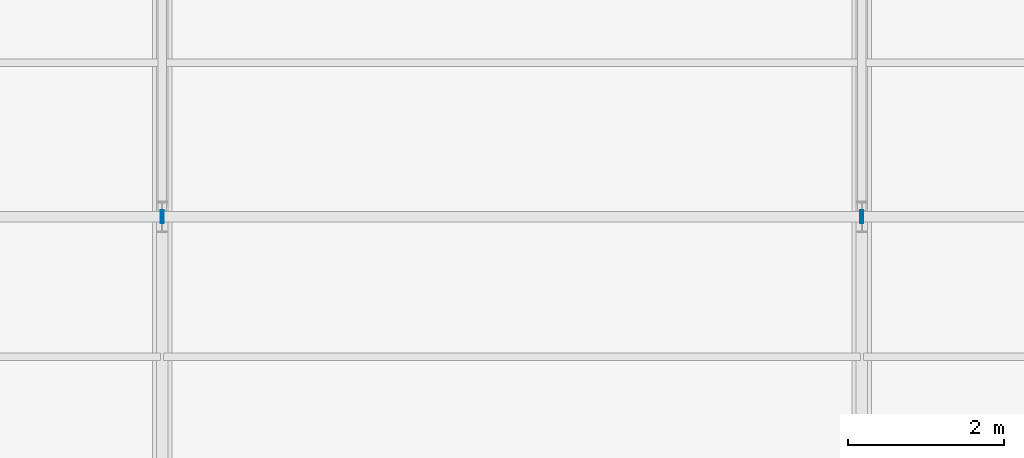
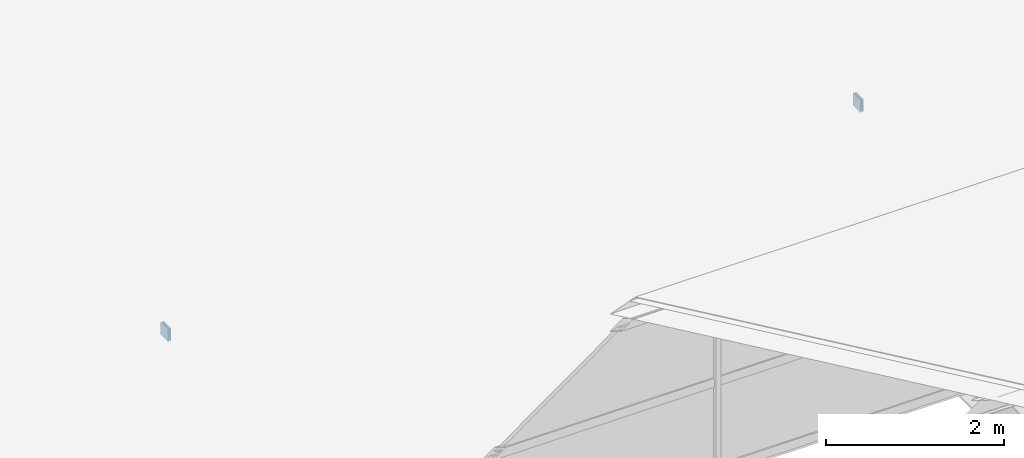
# One storey, part 142 of 163: 4 plates.
"""IFC4 building model written with IfcOpenShell, lengths in metres."""

from ifc_helpers import new_model, si_unit, direction, frame, origin, origin_2d, place, context, subcontext, project, spatial, rectangle, extrude, material, layer, layer_set, type_object, element, save


model = new_model("IFC4")

# Units and contexts
model_context = context("Model", 3, precision=1e-05, world=origin(), true_north=direction((0.0, 1.0)))
body_context = subcontext(model_context, "Body", "Model", "MODEL_VIEW")
ifc_project = project(units=[si_unit("LENGTHUNIT", "METRE"), si_unit("AREAUNIT", "SQUARE_METRE"), si_unit("VOLUMEUNIT", "CUBIC_METRE"), si_unit("PLANEANGLEUNIT", "RADIAN"), si_unit("MASSUNIT", "GRAM", prefix="KILO")], contexts=[model_context])

# Site, building, storey
site_placement = place(None, origin())
site = spatial("IfcSite", under=ifc_project, at=site_placement, CompositionType="ELEMENT")
building_placement = place(site_placement, origin())
building = spatial("IfcBuilding", under=site, at=building_placement, Name="Tharagai Park Tramway Depot", CompositionType="ELEMENT")
storey_placement = place(building_placement, frame((0.0, 0.0, 8.39990234375)))
storey = spatial("IfcBuildingStorey", under=building, at=storey_placement, Name="L02", CompositionType="ELEMENT", Elevation=8.39990234375)

# Plates
ifc_material = material(Name="Steel E350", Category="steel")
ifc_layer = layer(ifc_material, 0.011962890625)
ifc_layer_set = layer_set([ifc_layer], Name="Steel E350")
plate_type = type_object("IfcPlateType", Name="GP-04", PredefinedType="SHEET", material=ifc_layer_set)
for number, where, z_axis, x_axis, name in (
    (1, (98.986083984375, 112.5, 1.86181640625), (0.0, 0.0, 1.0), (1.0, 0.0, 0.0), "Tube End Cap Plate GP-04"),
    (2, (99.013916015625, 112.5, 1.86181640625), (0.0, 0.0, 1.0), (1.0, 0.0, 0.0), "Tube End Cap Plate GP-04"),
    (3, (107.986083984375, 112.5, 1.86181640625), (0.0, 0.0, 1.0), (1.0, 0.0, 0.0), "Tube End Cap Plate GP-04"),
    (4, (108.013916015625, 112.5, 1.86181640625), (0.0, 0.0, 1.0), (1.0, 0.0, 0.0), "Tube End Cap Plate GP-04"),
):
    element("IfcPlate", number, at=place(storey_placement, frame(where, z_axis=z_axis, x_axis=x_axis)), inside=storey, type_object=plate_type, Name=name, PredefinedType="SHEET", context=body_context, shape_type="SweptSolid", body=[
        extrude(rectangle(XDim=0.011962890625, YDim=0.169677734375, at=origin_2d()), origin(), (0.0, 0.0, 1.0), 0.169677734375),
    ])

save(model, "model.ifc")
